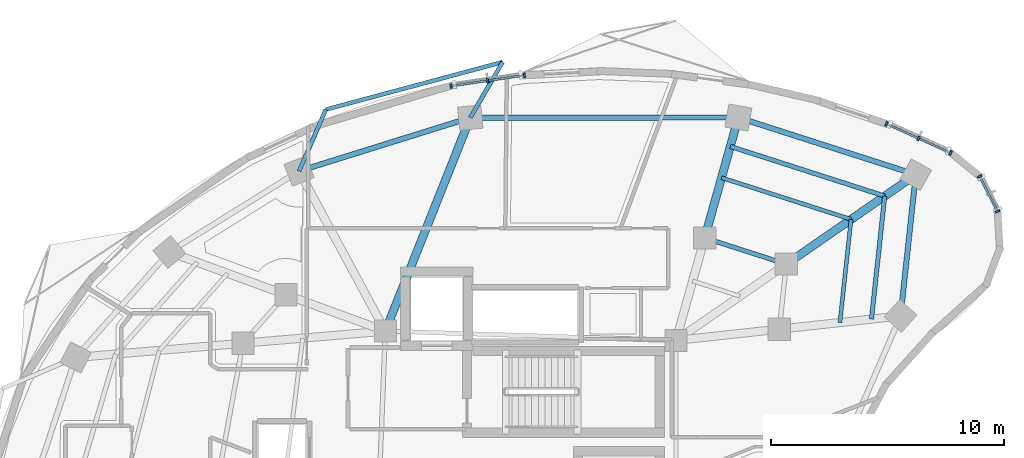
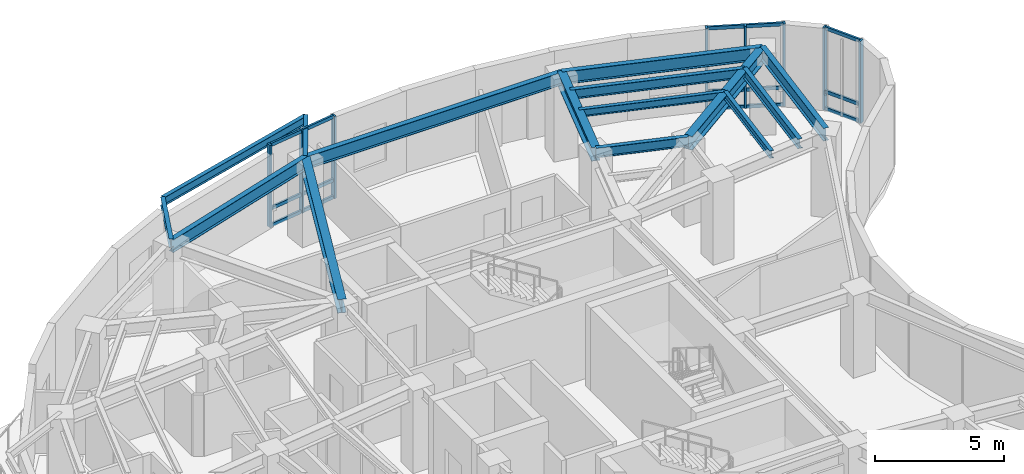
# One storey, part 5 of 13: 23 members, 15 beams, 3 elements without a shape of their own.
"""IFC4 building model written with IfcOpenShell, lengths in metres."""

from ifc_helpers import new_model, si_unit, direction, frame, origin, origin_2d, place, context, subcontext, project, spatial, rectangle, i_section, extrude, material, layer, layer_set, material_profile, profile_set, type_object, element, aggregate, save


model = new_model("IFC4")

# Units and contexts
model_context = context("Model", 3, precision=1e-05, world=origin(), true_north=direction((0.0, 1.0)))
body_context = subcontext(model_context, "Body", "Model", "MODEL_VIEW")
ifc_project = project(units=[si_unit("LENGTHUNIT", "METRE"), si_unit("AREAUNIT", "SQUARE_METRE"), si_unit("VOLUMEUNIT", "CUBIC_METRE"), si_unit("PLANEANGLEUNIT", "RADIAN"), si_unit("MASSUNIT", "GRAM", prefix="KILO")], contexts=[model_context])

# Site, building, storey
site_placement = place(None, origin())
site = spatial("IfcSite", under=ifc_project, at=site_placement, CompositionType="ELEMENT")
building_placement = place(site_placement, origin())
building = spatial("IfcBuilding", under=site, at=building_placement, Name="Korentha Bioscience Tower", CompositionType="ELEMENT")
storey_placement = place(building_placement, frame((0.0, 0.0, 183.60009765625)))
storey = spatial("IfcBuildingStorey", under=building, at=storey_placement, Name="L42", CompositionType="ELEMENT", Elevation=183.60009765625)

# Beam
ifc_material_1 = material(Name="Steel S355", Category="steel")
ifc_material_profile_1 = material_profile(ifc_material_1, i_section(OverallWidth=0.18994140625, OverallDepth=0.45703125, WebThickness=0.009033203125, FlangeThickness=0.014404296875, at=origin_2d()), Name="Steel S355")
ifc_profile_set_1 = profile_set([ifc_material_profile_1], Name="Steel S355 (MB-460)")
beam_type_1 = type_object("IfcBeamType", Name="Mid-Ring Tie Girder W460x74", PredefinedType="BEAM", material=ifc_profile_set_1)
beam_1_placement = place(storey_placement, frame((42.274658203125, 39.1171875, 3.67138671875), z_axis=(-0.952000195343, 0.306097415976, 0.0), x_axis=(-0.306097415976, -0.952000195343, 0.0)))
element("IfcBeam", 1, at=beam_1_placement, inside=storey, type_object=beam_type_1, Name="L42 Mid-Ring Tie Girder 01", PredefinedType="BEAM", context=body_context, shape_type="SweptSolid", body=[
    extrude(i_section(OverallWidth=0.18994140625, OverallDepth=0.45703125, WebThickness=0.009033203125, FlangeThickness=0.014404296875, at=origin_2d()), origin(), (0.0, 0.0, 1.0), 3.672119140625),
])

# Curtain wall, members
ifc_material_2 = material(Name="Thermally Broken Aluminium Frame", Category="aluminium")
ifc_layer = layer(ifc_material_2, 0.219970703125, Name="Thermally Broken Aluminium Frame")
ifc_layer_set = layer_set([ifc_layer], Name="Thermally Broken Aluminium Frame (CW-T2)")
curtain_wall_type = type_object("IfcCurtainWallType", Name="Solar-Screened Lab Unitised Curtain Wall CW-T2", PredefinedType="USERDEFINED", material=ifc_layer_set)
curtain_wall_1_placement = place(storey_placement, origin())
curtain_wall_1 = element("IfcCurtainWall", 2, at=curtain_wall_1_placement, inside=storey, type_object=curtain_wall_type, Name="L42 Curtain Wall 01", ObjectType="UNITISED", PredefinedType="USERDEFINED")
ifc_material_3 = material(Name="Anodised Aluminium 6063-T6", Category="aluminium")
ifc_material_profile_2 = material_profile(ifc_material_3, rectangle(XDim=0.090087890625, YDim=0.199951171875, at=origin_2d()), Name="Anodised Aluminium 6063-T6")
ifc_profile_set_2 = profile_set([ifc_material_profile_2], Name="Anodised Aluminium 6063-T6 (CW-MUL)")
member_type_1 = type_object("IfcMemberType", Name="Mullion RECT 90x200", PredefinedType="MULLION", material=ifc_profile_set_2)
member_1_placement = place(storey_placement, frame((49.314453125, 43.878173828125, 0.0), z_axis=(0.0, 0.0, 1.0), x_axis=(-0.910644398392, 0.413190972406, 0.0)))
member_1 = element("IfcMember", 3, at=member_1_placement, type_object=member_type_1, Name="CW-L42-01 Mullion 1", PredefinedType="MULLION", context=body_context, shape_type="SweptSolid", body=[
    extrude(rectangle(XDim=0.090087890625, YDim=0.199951171875, at=origin_2d()), origin(), (0.0, 0.0, 1.0), 3.89990234375),
])
member_2_placement = place(storey_placement, frame((47.93701171875, 44.503173828125, 0.0), z_axis=(0.0, 0.0, 1.0), x_axis=(-0.910644398392, 0.413190972406, 0.0)))
member_2 = element("IfcMember", 4, at=member_2_placement, type_object=member_type_1, Name="CW-L42-01 Mullion 2", PredefinedType="MULLION", context=body_context, shape_type="SweptSolid", body=[
    extrude(rectangle(XDim=0.090087890625, YDim=0.199951171875, at=origin_2d()), origin(), (0.0, 0.0, 1.0), 3.89990234375),
])
member_3_placement = place(storey_placement, frame((46.5595703125, 45.128173828125, 0.0), z_axis=(0.0, 0.0, 1.0), x_axis=(-0.910644398392, 0.413190972406, 0.0)))
member_3 = element("IfcMember", 5, at=member_3_placement, type_object=member_type_1, Name="CW-L42-01 Mullion 3", PredefinedType="MULLION", context=body_context, shape_type="SweptSolid", body=[
    extrude(rectangle(XDim=0.090087890625, YDim=0.199951171875, at=origin_2d()), origin(), (0.0, 0.0, 1.0), 3.89990234375),
])

curtain_wall_2_placement = place(storey_placement, origin())
curtain_wall_2 = element("IfcCurtainWall", 6, at=curtain_wall_2_placement, inside=storey, type_object=curtain_wall_type, Name="L42 Curtain Wall 07", ObjectType="UNITISED", PredefinedType="USERDEFINED")
member_4_placement = place(storey_placement, frame((31.056640625, 47.205078125, 0.0), z_axis=(0.0, 0.0, 1.0), x_axis=(-0.989461919888, -0.144793332342, 0.0)))
member_4 = element("IfcMember", 7, at=member_4_placement, type_object=member_type_1, Name="CW-L42-07 Mullion 1", PredefinedType="MULLION", context=body_context, shape_type="SweptSolid", body=[
    extrude(rectangle(XDim=0.090087890625, YDim=0.199951171875, at=origin_2d()), origin(), (0.0, 0.0, 1.0), 3.89990234375),
])
member_5_placement = place(storey_placement, frame((29.485107421875, 46.97509765625, 0.0), z_axis=(0.0, 0.0, 1.0), x_axis=(-0.989461919888, -0.144793332342, 0.0)))
member_5 = element("IfcMember", 8, at=member_5_placement, type_object=member_type_1, Name="CW-L42-07 Mullion 2", PredefinedType="MULLION", context=body_context, shape_type="SweptSolid", body=[
    extrude(rectangle(XDim=0.090087890625, YDim=0.199951171875, at=origin_2d()), origin(), (0.0, 0.0, 1.0), 3.89990234375),
])
member_6_placement = place(storey_placement, frame((27.913330078125, 46.7451171875, 0.0), z_axis=(0.0, 0.0, 1.0), x_axis=(-0.989461919888, -0.144793332342, 0.0)))
member_6 = element("IfcMember", 9, at=member_6_placement, type_object=member_type_1, Name="CW-L42-07 Mullion 3", PredefinedType="MULLION", context=body_context, shape_type="SweptSolid", body=[
    extrude(rectangle(XDim=0.090087890625, YDim=0.199951171875, at=origin_2d()), origin(), (0.0, 0.0, 1.0), 3.89990234375),
])

curtain_wall_3_placement = place(storey_placement, origin())
curtain_wall_3 = element("IfcCurtainWall", 10, at=curtain_wall_3_placement, inside=storey, type_object=curtain_wall_type, Name="L42 Curtain Wall 61", ObjectType="UNITISED", PredefinedType="USERDEFINED")
member_7_placement = place(storey_placement, frame((51.31884765625, 41.375732421875, 0.0), z_axis=(0.0, 0.0, 1.0), x_axis=(-0.45428845847, 0.890854643868, 0.0)))
member_7 = element("IfcMember", 11, at=member_7_placement, type_object=member_type_1, Name="CW-L42-61 Mullion 1", PredefinedType="MULLION", context=body_context, shape_type="SweptSolid", body=[
    extrude(rectangle(XDim=0.090087890625, YDim=0.199951171875, at=origin_2d()), origin(), (0.0, 0.0, 1.0), 3.89990234375),
])
member_8_placement = place(storey_placement, frame((50.5546875, 42.873779296875, 0.0), z_axis=(0.0, 0.0, 1.0), x_axis=(-0.45428845847, 0.890854643868, 0.0)))
member_8 = element("IfcMember", 12, at=member_8_placement, type_object=member_type_1, Name="CW-L42-61 Mullion 2", PredefinedType="MULLION", context=body_context, shape_type="SweptSolid", body=[
    extrude(rectangle(XDim=0.090087890625, YDim=0.199951171875, at=origin_2d()), origin(), (0.0, 0.0, 1.0), 3.89990234375),
])

# Beams
ifc_material_profile_3 = material_profile(ifc_material_1, i_section(OverallWidth=0.22802734375, OverallDepth=0.60791015625, WebThickness=0.01123046875, FlangeThickness=0.017333984375, at=origin_2d()), Name="Steel S355")
ifc_profile_set_3 = profile_set([ifc_material_profile_3], Name="Steel S355 (SB-610)")
beam_type_2 = type_object("IfcBeamType", Name="Perimeter Ring Spandrel Girder W610x113", PredefinedType="SPANDREL", material=ifc_profile_set_3)
beam_2_placement = place(storey_placement, frame((47.821044921875, 42.95263671875, 3.595947265625), z_axis=(-0.952008512555, 0.306071547228, 0.0), x_axis=(-0.306071547228, -0.952008512555, 0.0)))
element("IfcBeam", 13, at=beam_2_placement, inside=storey, type_object=beam_type_2, Name="L42 Perimeter Spandrel Girder 01", PredefinedType="SPANDREL", context=body_context, shape_type="SweptSolid", body=[
    extrude(i_section(OverallWidth=0.22802734375, OverallDepth=0.60791015625, WebThickness=0.01123046875, FlangeThickness=0.017333984375, at=origin_2d()), origin(), (0.0, 0.0, 1.0), 7.98291015625),
])
beam_3_placement = place(storey_placement, frame((40.22119140625, 45.39599609375, 3.595947265625), z_axis=(-0.99999988041, -0.000489059883, 0.0), x_axis=(0.000489059883, -0.99999988041, 0.0)))
element("IfcBeam", 14, at=beam_3_placement, inside=storey, type_object=beam_type_2, Name="L42 Perimeter Spandrel Girder 02", PredefinedType="SPANDREL", context=body_context, shape_type="SweptSolid", body=[
    extrude(i_section(OverallWidth=0.22802734375, OverallDepth=0.60791015625, WebThickness=0.01123046875, FlangeThickness=0.017333984375, at=origin_2d()), origin(), (0.0, 0.0, 1.0), 11.481689453125),
])
beam_4_placement = place(storey_placement, frame((28.739501953125, 45.390380859375, 3.595947265625), z_axis=(-0.954638172607, -0.29776829818, 0.0), x_axis=(0.29776829818, -0.954638172607, 0.0)))
element("IfcBeam", 15, at=beam_4_placement, inside=storey, type_object=beam_type_2, Name="L42 Perimeter Spandrel Girder 03", PredefinedType="SPANDREL", context=body_context, shape_type="SweptSolid", body=[
    extrude(i_section(OverallWidth=0.22802734375, OverallDepth=0.60791015625, WebThickness=0.01123046875, FlangeThickness=0.017333984375, at=origin_2d()), origin(), (0.0, 0.0, 1.0), 7.682373046875),
])
beam_5_placement = place(storey_placement, frame((47.16748046875, 36.89794921875, 3.595947265625), z_axis=(0.10732012232, 0.994224517574, 0.0), x_axis=(-0.994224517574, 0.10732012232, 0.0)))
element("IfcBeam", 16, at=beam_5_placement, inside=storey, type_object=beam_type_2, Name="L42 Perimeter Spandrel Girder 16", PredefinedType="SPANDREL", context=body_context, shape_type="SweptSolid", body=[
    extrude(i_section(OverallWidth=0.22802734375, OverallDepth=0.60791015625, WebThickness=0.01123046875, FlangeThickness=0.017333984375, at=origin_2d()), origin(), (0.0, 0.0, 1.0), 6.08984375),
])
ifc_material_profile_4 = material_profile(ifc_material_1, i_section(OverallWidth=0.18994140625, OverallDepth=0.45703125, WebThickness=0.009033203125, FlangeThickness=0.014404296875, at=origin_2d()), Name="Steel S355")
ifc_profile_set_4 = profile_set([ifc_material_profile_4], Name="Steel S355 (RB-460)")
beam_type_3 = type_object("IfcBeamType", Name="Radial Laboratory Beam W460x74", PredefinedType="BEAM", material=ifc_profile_set_4)
beam_6_placement = place(storey_placement, frame((46.489990234375, 42.031982421875, 3.67138671875), z_axis=(-0.952009183817, 0.306069459318, 0.0), x_axis=(-0.306069459318, -0.952009183817, 0.0)))
element("IfcBeam", 17, at=beam_6_placement, inside=storey, type_object=beam_type_3, Name="L42 Secondary Floor Beam JSTO-01", PredefinedType="BEAM", context=body_context, shape_type="SweptSolid", body=[
    extrude(i_section(OverallWidth=0.18994140625, OverallDepth=0.45703125, WebThickness=0.009033203125, FlangeThickness=0.014404296875, at=origin_2d()), origin(), (0.0, 0.0, 1.0), 6.948486328125),
])
beam_7_placement = place(storey_placement, frame((45.921142578125, 36.76220703125, 3.67138671875), z_axis=(0.107321875607, 0.994224328316, 0.0), x_axis=(-0.994224328316, 0.107321875607, 0.0)))
element("IfcBeam", 18, at=beam_7_placement, inside=storey, type_object=beam_type_3, Name="L42 Secondary Floor Beam JSTO-16", PredefinedType="BEAM", context=body_context, shape_type="SweptSolid", body=[
    extrude(i_section(OverallWidth=0.18994140625, OverallDepth=0.45703125, WebThickness=0.009033203125, FlangeThickness=0.014404296875, at=origin_2d()), origin(), (0.0, 0.0, 1.0), 5.30029296875),
])
ifc_material_profile_5 = material_profile(ifc_material_1, i_section(OverallWidth=0.35009765625, OverallDepth=0.64990234375, WebThickness=0.01611328125, FlangeThickness=0.02490234375, at=origin_2d()), Name="Steel S355")
ifc_profile_set_5 = profile_set([ifc_material_profile_5], Name="Steel S355 (RB-650)")
beam_type_4 = type_object("IfcBeamType", Name="Radial Laboratory Girder CVS 650x208", PredefinedType="BEAM", material=ifc_profile_set_5)
beam_8_placement = place(storey_placement, frame((42.274658203125, 39.1171875, 3.574951171875), z_axis=(0.822494455845, 0.568773127094, 0.0), x_axis=(-0.568773127094, 0.822494455845, 0.0)))
element("IfcBeam", 19, at=beam_8_placement, inside=storey, type_object=beam_type_4, Name="L42 Outer Radial Girder 01", PredefinedType="BEAM", context=body_context, shape_type="SweptSolid", body=[
    extrude(i_section(OverallWidth=0.35009765625, OverallDepth=0.64990234375, WebThickness=0.01611328125, FlangeThickness=0.02490234375, at=origin_2d()), origin(), (0.0, 0.0, 1.0), 6.743408203125),
])
beam_9_placement = place(storey_placement, frame((38.77880859375, 40.2412109375, 3.574951171875), z_axis=(0.269464128344, 0.963010427532, 0.0), x_axis=(-0.963010427532, 0.269464128344, 0.0)))
element("IfcBeam", 20, at=beam_9_placement, inside=storey, type_object=beam_type_4, Name="L42 Outer Radial Girder 02", PredefinedType="BEAM", context=body_context, shape_type="SweptSolid", body=[
    extrude(i_section(OverallWidth=0.35009765625, OverallDepth=0.64990234375, WebThickness=0.01611328125, FlangeThickness=0.02490234375, at=origin_2d()), origin(), (0.0, 0.0, 1.0), 5.352783203125),
])
beam_10_placement = place(storey_placement, frame((25.10009765625, 36.25, 3.574951171875), z_axis=(0.369922682955, 0.929062542909, 0.0), x_axis=(-0.929062542909, 0.369922682955, 0.0)))
element("IfcBeam", 21, at=beam_10_placement, inside=storey, type_object=beam_type_4, Name="L42 Radial Girder 03", PredefinedType="BEAM", context=body_context, shape_type="SweptSolid", body=[
    extrude(i_section(OverallWidth=0.35009765625, OverallDepth=0.64990234375, WebThickness=0.01611328125, FlangeThickness=0.02490234375, at=origin_2d()), origin(), (0.0, 0.0, 1.0), 9.83837890625),
])
ifc_material_profile_6 = material_profile(ifc_material_1, i_section(OverallWidth=0.1708984375, OverallDepth=0.35498046875, WebThickness=0.007080078125, FlangeThickness=0.01171875, at=origin_2d()), Name="Steel S355")
ifc_profile_set_6 = profile_set([ifc_material_profile_6], Name="Steel S355 (JB-360)")
beam_type_5 = type_object("IfcBeamType", Name="Secondary Laboratory Joist W360x51", PredefinedType="JOIST", material=ifc_profile_set_6)
beam_11_placement = place(storey_placement, frame((45.0478515625, 41.034912109375, 3.722412109375), z_axis=(-0.952005892166, 0.306079697596, 0.0), x_axis=(-0.306079697596, -0.952005892166, 0.0)))
element("IfcBeam", 22, at=beam_11_placement, inside=storey, type_object=beam_type_5, Name="L42 Secondary Floor Beam JST-01", PredefinedType="JOIST", context=body_context, shape_type="SweptSolid", body=[
    extrude(i_section(OverallWidth=0.1708984375, OverallDepth=0.35498046875, WebThickness=0.007080078125, FlangeThickness=0.01171875, at=origin_2d()), origin(), (0.0, 0.0, 1.0), 5.82763671875),
])
beam_12_placement = place(storey_placement, frame((44.57080078125, 36.614990234375, 3.722412109375), z_axis=(0.107308722475, 0.994225748048, 0.0), x_axis=(-0.994225748048, 0.107308722475, 0.0)))
element("IfcBeam", 23, at=beam_12_placement, inside=storey, type_object=beam_type_5, Name="L42 Secondary Floor Beam JST-16", PredefinedType="JOIST", context=body_context, shape_type="SweptSolid", body=[
    extrude(i_section(OverallWidth=0.1708984375, OverallDepth=0.35498046875, WebThickness=0.007080078125, FlangeThickness=0.01171875, at=origin_2d()), origin(), (0.0, 0.0, 1.0), 4.445556640625),
])
ifc_material_profile_7 = material_profile(ifc_material_1, i_section(OverallWidth=0.177978515625, OverallDepth=0.406982421875, WebThickness=0.0078125, FlangeThickness=0.0126953125, at=origin_2d()), Name="Steel S355")
ifc_profile_set_7 = profile_set([ifc_material_profile_7], Name="Steel S355 (CB-410)")
beam_type_6 = type_object("IfcBeamType", Name="Sun-Ledge Cantilever Beam W410x60", PredefinedType="BEAM", material=ifc_profile_set_7)
beam_13_placement = place(storey_placement, frame((28.739501953125, 45.390380859375, 3.698486328125), z_axis=(0.502315224283, 0.8646845757, 0.0), x_axis=(-0.8646845757, 0.502315224283, 0.0)))
element("IfcBeam", 24, at=beam_13_placement, inside=storey, type_object=beam_type_6, Name="L42 Balcony Cantilever Bracket A-L43-01", PredefinedType="BEAM", context=body_context, shape_type="SweptSolid", body=[
    extrude(i_section(OverallWidth=0.177978515625, OverallDepth=0.406982421875, WebThickness=0.0078125, FlangeThickness=0.0126953125, at=origin_2d()), origin(), (0.0, 0.0, 1.0), 2.7529296875),
])
beam_14_placement = place(storey_placement, frame((21.405517578125, 43.102783203125, 3.698486328125), z_axis=(0.398775835051, 0.917048435678, 0.0), x_axis=(-0.917048435678, 0.398775835051, 0.0)))
element("IfcBeam", 25, at=beam_14_placement, inside=storey, type_object=beam_type_6, Name="L42 Balcony Cantilever Bracket B-L43-01", PredefinedType="BEAM", context=body_context, shape_type="SweptSolid", body=[
    extrude(i_section(OverallWidth=0.177978515625, OverallDepth=0.406982421875, WebThickness=0.0078125, FlangeThickness=0.0126953125, at=origin_2d()), origin(), (0.0, 0.0, 1.0), 2.87255859375),
])
beam_15_placement = place(storey_placement, frame((30.122314453125, 47.770751953125, 3.698486328125), z_axis=(-0.965767136539, -0.259410558731, 0.0), x_axis=(0.259410558731, -0.965767136539, 0.0)))
element("IfcBeam", 26, at=beam_15_placement, inside=storey, type_object=beam_type_6, Name="L42 Balcony Edge Trimmer Beam L43-01", PredefinedType="BEAM", context=body_context, shape_type="SweptSolid", body=[
    extrude(i_section(OverallWidth=0.177978515625, OverallDepth=0.406982421875, WebThickness=0.0078125, FlangeThickness=0.0126953125, at=origin_2d()), origin(), (0.0, 0.0, 1.0), 7.839599609375),
])

# Member
ifc_material_profile_8 = material_profile(ifc_material_3, rectangle(XDim=0.090087890625, YDim=0.159912109375, at=origin_2d()), Name="Anodised Aluminium 6063-T6")
ifc_profile_set_8 = profile_set([ifc_material_profile_8], Name="Anodised Aluminium 6063-T6 (CW-TRN)")
member_type_2 = type_object("IfcMemberType", Name="Transom RECT 90x160", PredefinedType="USERDEFINED", material=ifc_profile_set_8)
member_9_placement = place(storey_placement, frame((49.2734375, 43.896728515625, 0.044921875), z_axis=(-0.910613165474, 0.41325980069, 0.0), x_axis=(-0.41325980069, -0.910613165474, 0.0)))
member_9 = element("IfcMember", 27, at=member_9_placement, type_object=member_type_2, Name="CW-L42-01 Bay 1 Transom 1", ObjectType="TRANSOM", PredefinedType="USERDEFINED", context=body_context, shape_type="SweptSolid", body=[
    extrude(rectangle(XDim=0.090087890625, YDim=0.159912109375, at=origin_2d()), origin(), (0.0, 0.0, 1.0), 1.422607421875),
])

member_10_placement = place(storey_placement, frame((49.2734375, 43.896728515625, 0.849853515625), z_axis=(-0.910613165474, 0.41325980069, 0.0), x_axis=(-0.41325980069, -0.910613165474, 0.0)))
member_10 = element("IfcMember", 28, at=member_10_placement, type_object=member_type_2, Name="CW-L42-01 Bay 1 Transom 2", ObjectType="TRANSOM", PredefinedType="USERDEFINED", context=body_context, shape_type="SweptSolid", body=[
    extrude(rectangle(XDim=0.090087890625, YDim=0.159912109375, at=origin_2d()), origin(), (0.0, 0.0, 1.0), 1.422607421875),
])

member_11_placement = place(storey_placement, frame((49.2734375, 43.896728515625, 3.85498046875), z_axis=(-0.910613165474, 0.41325980069, 0.0), x_axis=(-0.41325980069, -0.910613165474, 0.0)))
member_11 = element("IfcMember", 29, at=member_11_placement, type_object=member_type_2, Name="CW-L42-01 Bay 1 Transom 3", ObjectType="TRANSOM", PredefinedType="USERDEFINED", context=body_context, shape_type="SweptSolid", body=[
    extrude(rectangle(XDim=0.090087890625, YDim=0.159912109375, at=origin_2d()), origin(), (0.0, 0.0, 1.0), 1.422607421875),
])

member_12_placement = place(storey_placement, frame((47.89599609375, 44.521728515625, 0.044921875), z_axis=(-0.910613165474, 0.41325980069, 0.0), x_axis=(-0.41325980069, -0.910613165474, 0.0)))
member_12 = element("IfcMember", 30, at=member_12_placement, type_object=member_type_2, Name="CW-L42-01 Bay 2 Transom 1", ObjectType="TRANSOM", PredefinedType="USERDEFINED", context=body_context, shape_type="SweptSolid", body=[
    extrude(rectangle(XDim=0.090087890625, YDim=0.159912109375, at=origin_2d()), origin(), (0.0, 0.0, 1.0), 1.422607421875),
])

member_13_placement = place(storey_placement, frame((47.89599609375, 44.521728515625, 0.849853515625), z_axis=(-0.910613165474, 0.41325980069, 0.0), x_axis=(-0.41325980069, -0.910613165474, 0.0)))
member_13 = element("IfcMember", 31, at=member_13_placement, type_object=member_type_2, Name="CW-L42-01 Bay 2 Transom 2", ObjectType="TRANSOM", PredefinedType="USERDEFINED", context=body_context, shape_type="SweptSolid", body=[
    extrude(rectangle(XDim=0.090087890625, YDim=0.159912109375, at=origin_2d()), origin(), (0.0, 0.0, 1.0), 1.422607421875),
])

member_14_placement = place(storey_placement, frame((47.89599609375, 44.521728515625, 3.85498046875), z_axis=(-0.910613165474, 0.41325980069, 0.0), x_axis=(-0.41325980069, -0.910613165474, 0.0)))
member_14 = element("IfcMember", 32, at=member_14_placement, type_object=member_type_2, Name="CW-L42-01 Bay 2 Transom 3", ObjectType="TRANSOM", PredefinedType="USERDEFINED", context=body_context, shape_type="SweptSolid", body=[
    extrude(rectangle(XDim=0.090087890625, YDim=0.159912109375, at=origin_2d()), origin(), (0.0, 0.0, 1.0), 1.422607421875),
])

aggregate(curtain_wall_1, [member_1, member_2, member_3, member_9, member_10, member_11, member_12, member_13, member_14])

member_15_placement = place(storey_placement, frame((31.01220703125, 47.198486328125, 0.044921875), z_axis=(-0.989478137929, -0.144682461136, 0.0), x_axis=(0.144682461136, -0.989478137929, 0.0)))
member_15 = element("IfcMember", 33, at=member_15_placement, type_object=member_type_2, Name="CW-L42-07 Bay 1 Transom 1", ObjectType="TRANSOM", PredefinedType="USERDEFINED", context=body_context, shape_type="SweptSolid", body=[
    extrude(rectangle(XDim=0.090087890625, YDim=0.159912109375, at=origin_2d()), origin(), (0.0, 0.0, 1.0), 1.49853515625),
])

member_16_placement = place(storey_placement, frame((31.01220703125, 47.198486328125, 0.849853515625), z_axis=(-0.989478137929, -0.144682461136, 0.0), x_axis=(0.144682461136, -0.989478137929, 0.0)))
member_16 = element("IfcMember", 34, at=member_16_placement, type_object=member_type_2, Name="CW-L42-07 Bay 1 Transom 2", ObjectType="TRANSOM", PredefinedType="USERDEFINED", context=body_context, shape_type="SweptSolid", body=[
    extrude(rectangle(XDim=0.090087890625, YDim=0.159912109375, at=origin_2d()), origin(), (0.0, 0.0, 1.0), 1.49853515625),
])

member_17_placement = place(storey_placement, frame((31.01220703125, 47.198486328125, 3.85498046875), z_axis=(-0.989478137929, -0.144682461136, 0.0), x_axis=(0.144682461136, -0.989478137929, 0.0)))
member_17 = element("IfcMember", 35, at=member_17_placement, type_object=member_type_2, Name="CW-L42-07 Bay 1 Transom 3", ObjectType="TRANSOM", PredefinedType="USERDEFINED", context=body_context, shape_type="SweptSolid", body=[
    extrude(rectangle(XDim=0.090087890625, YDim=0.159912109375, at=origin_2d()), origin(), (0.0, 0.0, 1.0), 1.49853515625),
])

member_18_placement = place(storey_placement, frame((29.4404296875, 46.968505859375, 0.044921875), z_axis=(-0.989474726473, -0.144705790038, 0.0), x_axis=(0.144705790038, -0.989474726473, 0.0)))
member_18 = element("IfcMember", 36, at=member_18_placement, type_object=member_type_2, Name="CW-L42-07 Bay 2 Transom 1", ObjectType="TRANSOM", PredefinedType="USERDEFINED", context=body_context, shape_type="SweptSolid", body=[
    extrude(rectangle(XDim=0.090087890625, YDim=0.159912109375, at=origin_2d()), origin(), (0.0, 0.0, 1.0), 1.498291015625),
])

member_19_placement = place(storey_placement, frame((29.4404296875, 46.968505859375, 0.849853515625), z_axis=(-0.989474726473, -0.144705790038, 0.0), x_axis=(0.144705790038, -0.989474726473, 0.0)))
member_19 = element("IfcMember", 37, at=member_19_placement, type_object=member_type_2, Name="CW-L42-07 Bay 2 Transom 2", ObjectType="TRANSOM", PredefinedType="USERDEFINED", context=body_context, shape_type="SweptSolid", body=[
    extrude(rectangle(XDim=0.090087890625, YDim=0.159912109375, at=origin_2d()), origin(), (0.0, 0.0, 1.0), 1.498291015625),
])

member_20_placement = place(storey_placement, frame((29.4404296875, 46.968505859375, 3.85498046875), z_axis=(-0.989474726473, -0.144705790038, 0.0), x_axis=(0.144705790038, -0.989474726473, 0.0)))
member_20 = element("IfcMember", 38, at=member_20_placement, type_object=member_type_2, Name="CW-L42-07 Bay 2 Transom 3", ObjectType="TRANSOM", PredefinedType="USERDEFINED", context=body_context, shape_type="SweptSolid", body=[
    extrude(rectangle(XDim=0.090087890625, YDim=0.159912109375, at=origin_2d()), origin(), (0.0, 0.0, 1.0), 1.498291015625),
])

aggregate(curtain_wall_2, [member_4, member_5, member_6, member_15, member_16, member_17, member_18, member_19, member_20])

member_21_placement = place(storey_placement, frame((51.29833984375, 41.415771484375, 0.044921875), z_axis=(-0.454316345026, 0.890840422658, 0.0), x_axis=(-0.890840422658, -0.454316345026, 0.0)))
member_21 = element("IfcMember", 39, at=member_21_placement, type_object=member_type_2, Name="CW-L42-61 Bay 1 Transom 1", ObjectType="TRANSOM", PredefinedType="USERDEFINED", context=body_context, shape_type="SweptSolid", body=[
    extrude(rectangle(XDim=0.090087890625, YDim=0.159912109375, at=origin_2d()), origin(), (0.0, 0.0, 1.0), 1.591796875),
])

member_22_placement = place(storey_placement, frame((51.29833984375, 41.415771484375, 0.849853515625), z_axis=(-0.454316345026, 0.890840422658, 0.0), x_axis=(-0.890840422658, -0.454316345026, 0.0)))
member_22 = element("IfcMember", 40, at=member_22_placement, type_object=member_type_2, Name="CW-L42-61 Bay 1 Transom 2", ObjectType="TRANSOM", PredefinedType="USERDEFINED", context=body_context, shape_type="SweptSolid", body=[
    extrude(rectangle(XDim=0.090087890625, YDim=0.159912109375, at=origin_2d()), origin(), (0.0, 0.0, 1.0), 1.591796875),
])

member_23_placement = place(storey_placement, frame((51.29833984375, 41.415771484375, 3.85498046875), z_axis=(-0.454316345026, 0.890840422658, 0.0), x_axis=(-0.890840422658, -0.454316345026, 0.0)))
member_23 = element("IfcMember", 41, at=member_23_placement, type_object=member_type_2, Name="CW-L42-61 Bay 1 Transom 3", ObjectType="TRANSOM", PredefinedType="USERDEFINED", context=body_context, shape_type="SweptSolid", body=[
    extrude(rectangle(XDim=0.090087890625, YDim=0.159912109375, at=origin_2d()), origin(), (0.0, 0.0, 1.0), 1.591796875),
])

aggregate(curtain_wall_3, [member_7, member_8, member_21, member_22, member_23])

save(model, "model.ifc")
